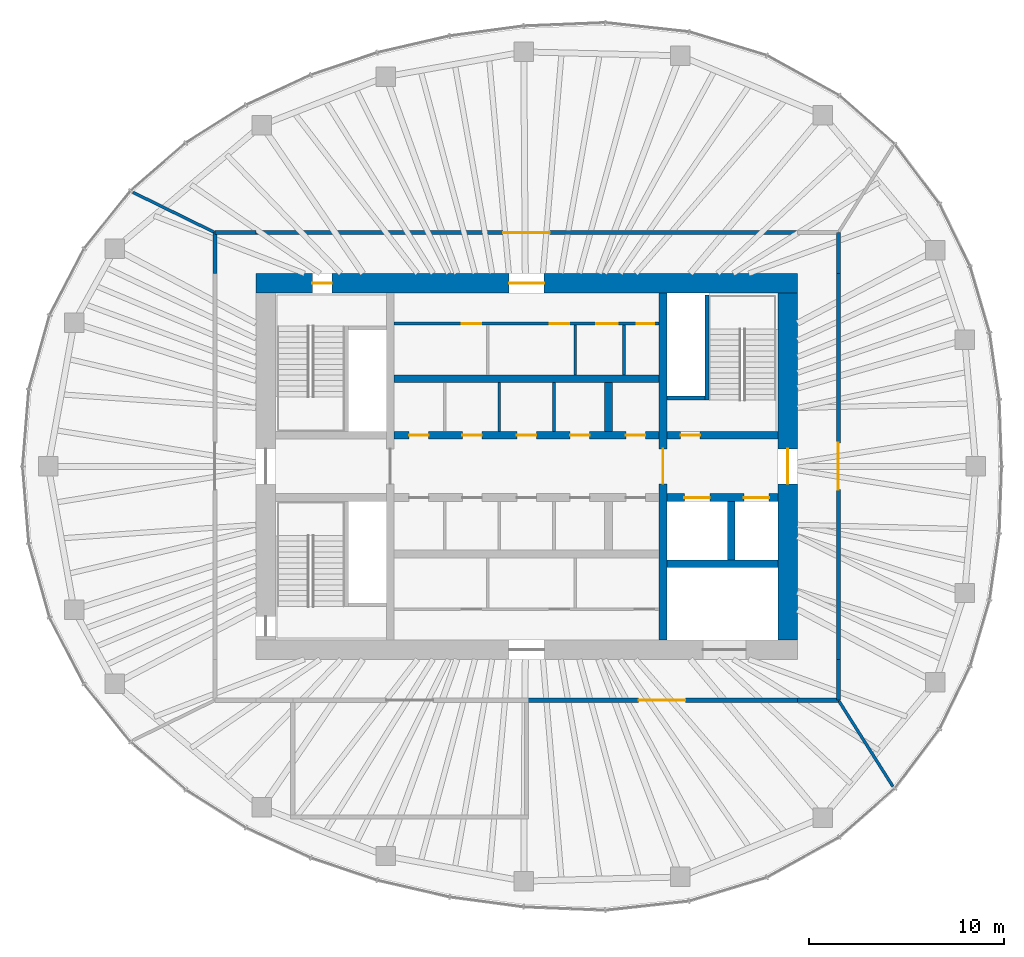
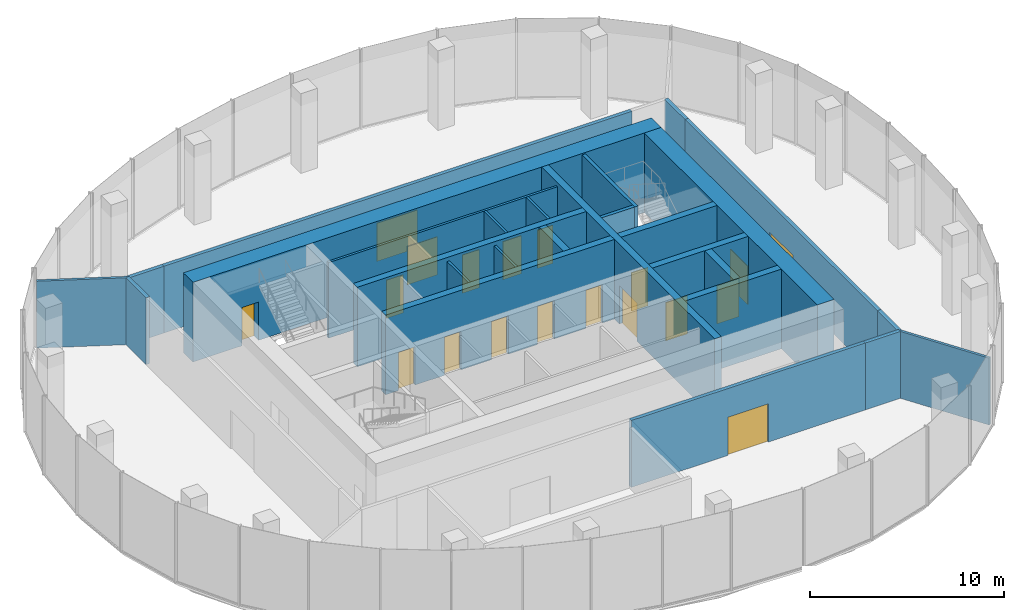
# One storey, part 9 of 11: 27 walls, 19 doors, 19 openings.
"""IFC4 building model written with IfcOpenShell, lengths in metres."""

from ifc_helpers import new_model, si_unit, direction, frame, frame_2d, origin, place, context, subcontext, project, spatial, rectangle, extrude, material, layer, layer_set, type_object, element, fill, save


model = new_model("IFC4")

# Units and contexts
model_context = context("Model", 3, precision=1e-05, world=origin(), true_north=direction((0.0, 1.0)))
body_context = subcontext(model_context, "Body", "Model", "MODEL_VIEW")
ifc_project = project(units=[si_unit("LENGTHUNIT", "METRE"), si_unit("AREAUNIT", "SQUARE_METRE"), si_unit("VOLUMEUNIT", "CUBIC_METRE"), si_unit("PLANEANGLEUNIT", "RADIAN"), si_unit("MASSUNIT", "GRAM", prefix="KILO")], contexts=[model_context])

# Site, building, storey
site_placement = place(None, origin())
site = spatial("IfcSite", under=ifc_project, at=site_placement, CompositionType="ELEMENT")
building_placement = place(site_placement, origin())
building = spatial("IfcBuilding", under=site, at=building_placement, Name="Ghaith Harvest Tower", CompositionType="ELEMENT")
storey_placement = place(building_placement, frame((0.0, 0.0, 339.199951171875)))
storey = spatial("IfcBuildingStorey", under=building, at=storey_placement, Name="L76", CompositionType="ELEMENT", Elevation=339.199951171875)

# Wall, opening, door
ifc_material_1 = material(Name="Concrete blockwork, 1-hour", Category="masonry")
ifc_layer_1 = layer(ifc_material_1, 0.215087890625)
ifc_layer_set_1 = layer_set([ifc_layer_1], Name="BLOCKWORK WALL 215")
wall_type_1 = type_object("IfcWallType", Name="BLOCKWORK WALL 215", PredefinedType="PARTITIONING", material=ifc_layer_set_1)
wall_1_placement = place(storey_placement, frame((13.89990234375, 12.0, 0.0), z_axis=(0.0, 0.0, 1.0), x_axis=(-1.0, 0.0, 0.0)))
wall_1 = element("IfcWall", 1, at=wall_1_placement, inside=storey, type_object=wall_type_1, Name="Plant room wall L76", PredefinedType="PARTITIONING", context=body_context, shape_type="SweptSolid", body=[
    extrude(rectangle(XDim=27.7998046875, YDim=0.215087890625, at=frame_2d((13.89990234375, 0.0))), origin(), (0.0, 0.0, 1.0), 4.199951171875),
])
opening_1_placement = place(wall_1_placement, frame((12.699951171875, 0.0, 0.0)))
opening_1 = element("IfcOpeningElement", 2, at=opening_1_placement, cuts=wall_1, Name="Opening 76-031", PredefinedType="OPENING", context=body_context, shape_type="SweptSolid", body=[
    extrude(rectangle(XDim=2.39990234375, YDim=2.39990234375, at=frame_2d((1.199951171875, 1.199951171875))), frame((0.0, 0.11767578125, 0.0), z_axis=(0.0, -1.0, 0.0), x_axis=(1.0, 0.0, 0.0)), (0.0, 0.0, 1.0), 0.235107421875),
])
ifc_material_2 = material(Name="Timber door", Category="wood")
door_type_1 = type_object("IfcDoorType", Name="D10 PLANT PAIR 2400x2400", OperationType="DOUBLE_DOOR_SINGLE_SWING", PredefinedType="DOOR", material=ifc_material_2)
door_1_placement = place(opening_1_placement, origin())
door_1 = element("IfcDoor", 3, at=door_1_placement, inside=storey, type_object=door_type_1, Name="Cooling tower plant room north door", OperationType="DOUBLE_DOOR_SINGLE_SWING", OverallHeight=2.39990234375, OverallWidth=2.39990234375, PredefinedType="DOOR", context=body_context, shape_type="SweptSolid", body=[
    extrude(rectangle(XDim=2.39990234375, YDim=2.39990234375, at=frame_2d((1.199951171875, 1.199951171875))), frame((0.0, 0.02490234375, 0.0), z_axis=(0.0, -1.0, 0.0), x_axis=(1.0, 0.0, 0.0)), (0.0, 0.0, 1.0), 0.050048828125),
])
fill(opening_1, door_1)

# Walls
for number, where, z_axis, x_axis, name in (
    (4, (-13.89990234375, 12.0, 0.0), (0.0, 0.0, 1.0), (-1.0, 0.0, 0.0), "Plant room wall L76"),
    (5, (16.0, -12.0, 0.0), (0.0, 0.0, 1.0), (0.0, 1.0, 0.0), "Plant room wall L76"),
):
    element("IfcWall", number, at=place(storey_placement, frame(where, z_axis=z_axis, x_axis=x_axis)), inside=storey, type_object=wall_type_1, Name=name, PredefinedType="PARTITIONING", context=body_context, shape_type="SweptSolid", body=[
        extrude(rectangle(XDim=2.10009765625, YDim=0.215087890625, at=frame_2d((1.050048828125, 0.0))), origin(), (0.0, 0.0, 1.0), 4.199951171875),
    ])

# Wall, opening, door
wall_2_placement = place(storey_placement, frame((16.0, -9.89990234375, 0.0), z_axis=(0.0, 0.0, 1.0), x_axis=(0.0, 1.0, 0.0)))
wall_2 = element("IfcWall", 6, at=wall_2_placement, inside=storey, type_object=wall_type_1, Name="Plant room wall L76", PredefinedType="PARTITIONING", context=body_context, shape_type="SweptSolid", body=[
    extrude(rectangle(XDim=19.7998046875, YDim=0.215087890625, at=frame_2d((9.89990234375, 0.0))), origin(), (0.0, 0.0, 1.0), 4.199951171875),
])
opening_2_placement = place(wall_2_placement, frame((8.699951171875, 0.0, 0.0)))
opening_2 = element("IfcOpeningElement", 7, at=opening_2_placement, cuts=wall_2, Name="Opening 76-032", PredefinedType="OPENING", context=body_context, shape_type="SweptSolid", body=[
    extrude(rectangle(XDim=2.39990234375, YDim=2.39990234375, at=frame_2d((1.199951171875, 1.199951171875))), frame((0.0, 0.11767578125, 0.0), z_axis=(0.0, -1.0, 0.0), x_axis=(1.0, 0.0, 0.0)), (0.0, 0.0, 1.0), 0.235107421875),
])
door_2_placement = place(opening_2_placement, origin())
door_2 = element("IfcDoor", 8, at=door_2_placement, inside=storey, type_object=door_type_1, Name="Chiller plant room east door", OperationType="DOUBLE_DOOR_SINGLE_SWING", OverallHeight=2.39990234375, OverallWidth=2.39990234375, PredefinedType="DOOR", context=body_context, shape_type="SweptSolid", body=[
    extrude(rectangle(XDim=2.39990234375, YDim=2.39990234375, at=frame_2d((1.199951171875, 1.199951171875))), frame((0.0, 0.02490234375, 0.0), z_axis=(0.0, -1.0, 0.0), x_axis=(1.0, 0.0, 0.0)), (0.0, 0.0, 1.0), 0.050048828125),
])
fill(opening_2, door_2)

# Wall
wall_3_placement = place(storey_placement, frame((16.0, 9.89990234375, 0.0), z_axis=(0.0, 0.0, 1.0), x_axis=(0.0, 1.0, 0.0)))
element("IfcWall", 9, at=wall_3_placement, inside=storey, type_object=wall_type_1, Name="Plant room wall L76", PredefinedType="PARTITIONING", context=body_context, shape_type="SweptSolid", body=[
    extrude(rectangle(XDim=2.10009765625, YDim=0.215087890625, at=frame_2d((1.050048828125, 0.0))), origin(), (0.0, 0.0, 1.0), 4.199951171875),
])

# Wall, opening, door
wall_4_placement = place(storey_placement, frame((0.0, -12.0, 0.0), z_axis=(0.0, 0.0, 1.0), x_axis=(1.0, 0.0, 0.0)))
wall_4 = element("IfcWall", 10, at=wall_4_placement, inside=storey, type_object=wall_type_1, Name="Plant room wall L76", PredefinedType="PARTITIONING", context=body_context, shape_type="SweptSolid", body=[
    extrude(rectangle(XDim=13.89990234375, YDim=0.215087890625, at=frame_2d((6.949951171875, 0.0))), origin(), (0.0, 0.0, 1.0), 4.199951171875),
])
opening_3_placement = place(wall_4_placement, frame((5.75, 0.0, 0.0)))
opening_3 = element("IfcOpeningElement", 11, at=opening_3_placement, cuts=wall_4, Name="Opening 76-033", PredefinedType="OPENING", context=body_context, shape_type="SweptSolid", body=[
    extrude(rectangle(XDim=2.39990234375, YDim=2.39990234375, at=frame_2d((1.199951171875, 1.199951171875))), frame((0.0, 0.11767578125, 0.0), z_axis=(0.0, -1.0, 0.0), x_axis=(1.0, 0.0, 0.0)), (0.0, 0.0, 1.0), 0.235107421875),
])
door_3_placement = place(opening_3_placement, origin())
door_3 = element("IfcDoor", 12, at=door_3_placement, inside=storey, type_object=door_type_1, Name="Heat rejection plant room south door", OperationType="DOUBLE_DOOR_SINGLE_SWING", OverallHeight=2.39990234375, OverallWidth=2.39990234375, PredefinedType="DOOR", context=body_context, shape_type="SweptSolid", body=[
    extrude(rectangle(XDim=2.39990234375, YDim=2.39990234375, at=frame_2d((1.199951171875, 1.199951171875))), frame((0.0, 0.02490234375, 0.0), z_axis=(0.0, -1.0, 0.0), x_axis=(1.0, 0.0, 0.0)), (0.0, 0.0, 1.0), 0.050048828125),
])
fill(opening_3, door_3)

# Walls
for number, where, z_axis, x_axis, name in (
    (13, (13.89990234375, -12.0, 0.0), (0.0, 0.0, 1.0), (1.0, 0.0, 0.0), "Plant room wall L76"),
    (14, (-16.0, 12.0, 0.0), (0.0, 0.0, 1.0), (0.0, -1.0, 0.0), "Plant room wall L76"),
):
    element("IfcWall", number, at=place(storey_placement, frame(where, z_axis=z_axis, x_axis=x_axis)), inside=storey, type_object=wall_type_1, Name=name, PredefinedType="PARTITIONING", context=body_context, shape_type="SweptSolid", body=[
        extrude(rectangle(XDim=2.10009765625, YDim=0.215087890625, at=frame_2d((1.050048828125, 0.0))), origin(), (0.0, 0.0, 1.0), 4.199951171875),
    ])

# Wall, openings, doors
ifc_material_3 = material(Name="Concrete blockwork, fair-faced", Category="masonry")
ifc_layer_2 = layer(ifc_material_3, 0.139892578125)
ifc_layer_set_2 = layer_set([ifc_layer_2], Name="CORE PARTITION 140")
wall_type_2 = type_object("IfcWallType", Name="CORE PARTITION 140", PredefinedType="PARTITIONING", material=ifc_layer_set_2)
wall_5_placement = place(storey_placement, frame((-6.800048828125, 7.330078125, 0.0), z_axis=(0.0, 0.0, 1.0), x_axis=(1.0, 0.0, 0.0)))
wall_5 = element("IfcWall", 15, at=wall_5_placement, inside=storey, type_object=wall_type_2, Name="Core partition L76", PredefinedType="PARTITIONING", context=body_context, shape_type="SweptSolid", body=[
    extrude(rectangle(XDim=13.60009765625, YDim=0.139892578125, at=frame_2d((6.800048828125, 0.0))), origin(), (0.0, 0.0, 1.0), 4.75),
])
opening_4_placement = place(wall_5_placement, frame((3.47998046875, 0.0, 0.0)))
opening_4 = element("IfcOpeningElement", 16, at=opening_4_placement, cuts=wall_5, Name="Opening 76-008", PredefinedType="OPENING", context=body_context, shape_type="SweptSolid", body=[
    extrude(rectangle(XDim=1.0, YDim=2.39990234375, at=frame_2d((0.5, 1.199951171875))), frame((0.0, 0.080078125, 0.0), z_axis=(0.0, -1.0, 0.0), x_axis=(1.0, 0.0, 0.0)), (0.0, 0.0, 1.0), 0.159912109375),
])
opening_5_placement = place(wall_5_placement, frame((7.97998046875, 0.0, 0.0)))
opening_5 = element("IfcOpeningElement", 17, at=opening_5_placement, cuts=wall_5, Name="Opening 76-009", PredefinedType="OPENING", context=body_context, shape_type="SweptSolid", body=[
    extrude(rectangle(XDim=1.0, YDim=2.39990234375, at=frame_2d((0.5, 1.199951171875))), frame((0.0, 0.080078125, 0.0), z_axis=(0.0, -1.0, 0.0), x_axis=(1.0, 0.0, 0.0)), (0.0, 0.0, 1.0), 0.159912109375),
])
opening_6_placement = place(wall_5_placement, frame((10.3798828125, 0.0, 0.0)))
opening_6 = element("IfcOpeningElement", 18, at=opening_6_placement, cuts=wall_5, Name="Opening 76-010", PredefinedType="OPENING", context=body_context, shape_type="SweptSolid", body=[
    extrude(rectangle(XDim=1.10009765625, YDim=2.39990234375, at=frame_2d((0.550048828125, 1.199951171875))), frame((0.0, 0.080078125, 0.0), z_axis=(0.0, -1.0, 0.0), x_axis=(1.0, 0.0, 0.0)), (0.0, 0.0, 1.0), 0.159912109375),
])
opening_7_placement = place(wall_5_placement, frame((12.449951171875, 0.0, 0.0)))
opening_7 = element("IfcOpeningElement", 19, at=opening_7_placement, cuts=wall_5, Name="Opening 76-011", PredefinedType="OPENING", context=body_context, shape_type="SweptSolid", body=[
    extrude(rectangle(XDim=0.89990234375, YDim=2.39990234375, at=frame_2d((0.449951171875, 1.199951171875))), frame((0.0, 0.080078125, 0.0), z_axis=(0.0, -1.0, 0.0), x_axis=(1.0, 0.0, 0.0)), (0.0, 0.0, 1.0), 0.159912109375),
])
ifc_material_4 = material(Name="Steel fire door", Category="steel")
door_type_2 = type_object("IfcDoorType", Name="D3 FD90 1000x2400", OperationType="SINGLE_SWING_LEFT", PredefinedType="DOOR", material=ifc_material_4)
door_4_placement = place(opening_4_placement, origin())
door_4 = element("IfcDoor", 20, at=door_4_placement, inside=storey, type_object=door_type_2, Name="Male WC door", OperationType="SINGLE_SWING_LEFT", OverallHeight=2.39990234375, OverallWidth=1.0, PredefinedType="DOOR", context=body_context, shape_type="SweptSolid", body=[
    extrude(rectangle(XDim=1.0, YDim=2.39990234375, at=frame_2d((0.5, 1.199951171875))), frame((0.0, 0.02490234375, 0.0), z_axis=(0.0, -1.0, 0.0), x_axis=(1.0, 0.0, 0.0)), (0.0, 0.0, 1.0), 0.050048828125),
])
fill(opening_4, door_4)
door_5_placement = place(opening_5_placement, origin())
door_5 = element("IfcDoor", 21, at=door_5_placement, inside=storey, type_object=door_type_2, Name="Female WC door", OperationType="SINGLE_SWING_RIGHT", OverallHeight=2.39990234375, OverallWidth=1.0, PredefinedType="DOOR", context=body_context, shape_type="SweptSolid", body=[
    extrude(rectangle(XDim=1.0, YDim=2.39990234375, at=frame_2d((0.5, 1.199951171875))), frame((0.0, 0.02490234375, 0.0), z_axis=(0.0, -1.0, 0.0), x_axis=(1.0, 0.0, 0.0)), (0.0, 0.0, 1.0), 0.050048828125),
])
fill(opening_5, door_5)
ifc_material_5 = material(Name="Steel fire door", Category="steel")
door_type_3 = type_object("IfcDoorType", Name="D5 FD90 900x2400", OperationType="SINGLE_SWING_LEFT", PredefinedType="DOOR", material=ifc_material_5)
door_6_placement = place(opening_7_placement, origin())
door_6 = element("IfcDoor", 22, at=door_6_placement, inside=storey, type_object=door_type_3, Name="Cleaner's store door", OperationType="SINGLE_SWING_RIGHT", OverallHeight=2.39990234375, OverallWidth=0.89990234375, PredefinedType="DOOR", context=body_context, shape_type="SweptSolid", body=[
    extrude(rectangle(XDim=0.89990234375, YDim=2.39990234375, at=frame_2d((0.449951171875, 1.199951171875))), frame((0.0, 0.02490234375, 0.0), z_axis=(0.0, -1.0, 0.0), x_axis=(1.0, 0.0, 0.0)), (0.0, 0.0, 1.0), 0.050048828125),
])
fill(opening_7, door_6)
ifc_material_6 = material(Name="Steel fire door", Category="steel")
door_type_4 = type_object("IfcDoorType", Name="D9 FD90 1100x2400", OperationType="SINGLE_SWING_LEFT", PredefinedType="DOOR", material=ifc_material_6)
door_7_placement = place(opening_6_placement, origin())
door_7 = element("IfcDoor", 23, at=door_7_placement, inside=storey, type_object=door_type_4, Name="Accessible WC door", OperationType="SINGLE_SWING_RIGHT", OverallHeight=2.39990234375, OverallWidth=1.10009765625, PredefinedType="DOOR", context=body_context, shape_type="SweptSolid", body=[
    extrude(rectangle(XDim=1.10009765625, YDim=2.39990234375, at=frame_2d((0.550048828125, 1.199951171875))), frame((0.0, 0.02490234375, 0.0), z_axis=(0.0, -1.0, 0.0), x_axis=(1.0, 0.0, 0.0)), (0.0, 0.0, 1.0), 0.050048828125),
])
fill(opening_6, door_7)

# Walls
for number, where, z_axis, x_axis, name in (
    (24, (2.5, 4.699951171875, 0.0), (0.0, 0.0, 1.0), (0.0, 1.0, 0.0), "Core partition L76"),
    (25, (5.0, 4.699951171875, 0.0), (0.0, 0.0, 1.0), (0.0, 1.0, 0.0), "Core partition L76"),
):
    element("IfcWall", number, at=place(storey_placement, frame(where, z_axis=z_axis, x_axis=x_axis)), inside=storey, type_object=wall_type_2, Name=name, PredefinedType="PARTITIONING", context=body_context, shape_type="SweptSolid", body=[
        extrude(rectangle(XDim=2.56005859375, YDim=0.139892578125, at=frame_2d((1.280029296875, 0.0))), origin(), (0.0, 0.0, 1.0), 4.75),
    ])
for number, where, z_axis, x_axis, name in (
    (26, (-1.39990234375, 1.800048828125, 0.0), (0.0, 0.0, 1.0), (0.0, 1.0, 0.0), "Core partition L76"),
    (27, (1.39990234375, 1.800048828125, 0.0), (0.0, 0.0, 1.0), (0.0, 1.0, 0.0), "Core partition L76"),
):
    element("IfcWall", number, at=place(storey_placement, frame(where, z_axis=z_axis, x_axis=x_axis)), inside=storey, type_object=wall_type_2, Name=name, PredefinedType="PARTITIONING", context=body_context, shape_type="SweptSolid", body=[
        extrude(rectangle(XDim=2.5, YDim=0.139892578125, at=frame_2d((1.25, 0.0))), origin(), (0.0, 0.0, 1.0), 4.75),
    ])

# Wall, openings, doors
ifc_material_7 = material(Name="Concrete C50/60", Category="concrete")
ifc_layer_3 = layer(ifc_material_7, 1.0)
ifc_layer_set_3 = layer_set([ifc_layer_3], Name="CORE WALL CW1000")
wall_type_3 = type_object("IfcWallType", Name="CORE WALL CW1000", PredefinedType="SHEAR", material=ifc_layer_set_3)
wall_6_placement = place(storey_placement, frame((13.89990234375, 9.39990234375, 0.0), z_axis=(0.0, 0.0, 1.0), x_axis=(-1.0, 0.0, 0.0)))
wall_6 = element("IfcWall", 28, at=wall_6_placement, inside=storey, type_object=wall_type_3, Name="Core wall N L76", PredefinedType="SHEAR", context=body_context, shape_type="SweptSolid", body=[
    extrude(rectangle(XDim=27.7998046875, YDim=1.0, at=frame_2d((13.89990234375, 0.0))), origin(), (0.0, 0.0, 1.0), 5.0),
])
opening_8_placement = place(wall_6_placement, frame((23.89990234375, 0.0, 0.0)))
opening_8 = element("IfcOpeningElement", 29, at=opening_8_placement, cuts=wall_6, Name="Opening 76-005", PredefinedType="OPENING", context=body_context, shape_type="SweptSolid", body=[
    extrude(rectangle(XDim=1.0, YDim=2.39990234375, at=frame_2d((0.5, 1.199951171875))), frame((0.0, 0.510009765625, 0.0), z_axis=(0.0, -1.0, 0.0), x_axis=(1.0, 0.0, 0.0)), (0.0, 0.0, 1.0), 1.02001953125),
])
opening_9_placement = place(wall_6_placement, frame((13.0, 0.0, 0.0)))
opening_9 = element("IfcOpeningElement", 30, at=opening_9_placement, cuts=wall_6, Name="Opening 76-025", PredefinedType="OPENING", context=body_context, shape_type="SweptSolid", body=[
    extrude(rectangle(XDim=1.800048828125, YDim=2.39990234375, at=frame_2d((0.89990234375, 1.199951171875))), frame((0.0, 0.510009765625, 0.0), z_axis=(0.0, -1.0, 0.0), x_axis=(1.0, 0.0, 0.0)), (0.0, 0.0, 1.0), 1.02001953125),
])
door_8_placement = place(opening_8_placement, origin())
door_8 = element("IfcDoor", 31, at=door_8_placement, inside=storey, type_object=door_type_2, Name="Stair ST1 door", OperationType="SINGLE_SWING_RIGHT", OverallHeight=2.39990234375, OverallWidth=1.0, PredefinedType="DOOR", context=body_context, shape_type="SweptSolid", body=[
    extrude(rectangle(XDim=1.0, YDim=2.39990234375, at=frame_2d((0.5, 1.199951171875))), frame((0.0, 0.02490234375, 0.0), z_axis=(0.0, -1.0, 0.0), x_axis=(1.0, 0.0, 0.0)), (0.0, 0.0, 1.0), 0.050048828125),
])
fill(opening_8, door_8)
ifc_material_8 = material(Name="Steel fire door", Category="steel")
door_type_5 = type_object("IfcDoorType", Name="D4 FD90 PAIR 1800x2400", OperationType="DOUBLE_DOOR_SINGLE_SWING", PredefinedType="DOOR", material=ifc_material_8)
door_9_placement = place(opening_9_placement, origin())
door_9 = element("IfcDoor", 32, at=door_9_placement, inside=storey, type_object=door_type_5, Name="Core service corridor doors", OperationType="DOUBLE_DOOR_SINGLE_SWING", OverallHeight=2.39990234375, OverallWidth=1.800048828125, PredefinedType="DOOR", context=body_context, shape_type="SweptSolid", body=[
    extrude(rectangle(XDim=1.800048828125, YDim=2.39990234375, at=frame_2d((0.89990234375, 1.199951171875))), frame((0.0, 0.02490234375, 0.0), z_axis=(0.0, -1.0, 0.0), x_axis=(1.0, 0.0, 0.0)), (0.0, 0.0, 1.0), 0.050048828125),
])
fill(opening_9, door_9)

# Wall, opening, door
wall_7_placement = place(storey_placement, frame((13.39990234375, -8.89990234375, 0.0), z_axis=(0.0, 0.0, 1.0), x_axis=(0.0, 1.0, 0.0)))
wall_7 = element("IfcWall", 33, at=wall_7_placement, inside=storey, type_object=wall_type_3, Name="Core wall E L76", PredefinedType="SHEAR", context=body_context, shape_type="SweptSolid", body=[
    extrude(rectangle(XDim=17.7998046875, YDim=1.0, at=frame_2d((8.89990234375, 0.0))), origin(), (0.0, 0.0, 1.0), 5.0),
])
opening_10_placement = place(wall_7_placement, frame((8.0, 0.0, 0.0)))
opening_10 = element("IfcOpeningElement", 34, at=opening_10_placement, cuts=wall_7, Name="Opening 76-002", PredefinedType="OPENING", context=body_context, shape_type="SweptSolid", body=[
    extrude(rectangle(XDim=1.800048828125, YDim=2.39990234375, at=frame_2d((0.89990234375, 1.199951171875))), frame((0.0, 0.510009765625, 0.0), z_axis=(0.0, -1.0, 0.0), x_axis=(1.0, 0.0, 0.0)), (0.0, 0.0, 1.0), 1.02001953125),
])
door_10_placement = place(opening_10_placement, origin())
door_10 = element("IfcDoor", 35, at=door_10_placement, inside=storey, type_object=door_type_5, Name="Fire-fighting lobby doors", OperationType="DOUBLE_DOOR_SINGLE_SWING", OverallHeight=2.39990234375, OverallWidth=1.800048828125, PredefinedType="DOOR", context=body_context, shape_type="SweptSolid", body=[
    extrude(rectangle(XDim=1.800048828125, YDim=2.39990234375, at=frame_2d((0.89990234375, 1.199951171875))), frame((0.0, 0.02490234375, 0.0), z_axis=(0.0, -1.0, 0.0), x_axis=(1.0, 0.0, 0.0)), (0.0, 0.0, 1.0), 0.050048828125),
])
fill(opening_10, door_10)

# Walls
ifc_material_9 = material(Name="Gypsum board on steel studs", Category="steel")
ifc_layer_4 = layer(ifc_material_9, 0.14990234375)
ifc_layer_set_4 = layer_set([ifc_layer_4], Name="PARTITION 150")
wall_type_4 = type_object("IfcWallType", Name="PARTITION 150", PredefinedType="PARTITIONING", material=ifc_layer_set_4)
wall_8_placement = place(storey_placement, frame((-16.017822265625, 12.0087890625, 0.0), z_axis=(0.0, 0.0, 1.0), x_axis=(-0.897771840996, 0.440460805879, 0.0)))
element("IfcWall", 36, at=wall_8_placement, inside=storey, type_object=wall_type_4, Name="Partition L76 zone division", PredefinedType="PARTITIONING", context=body_context, shape_type="SweptSolid", body=[
    extrude(rectangle(XDim=4.66552734375, YDim=0.14990234375, at=frame_2d((2.332763671875, 0.0))), origin(), (0.0, 0.0, 1.0), 4.199951171875),
])
wall_9_placement = place(storey_placement, frame((16.0107421875, -12.016845703125, 0.0), z_axis=(0.0, 0.0, 1.0), x_axis=(0.53415837449, -0.845384427916, 0.0)))
element("IfcWall", 37, at=wall_9_placement, inside=storey, type_object=wall_type_4, Name="Partition L76 zone division", PredefinedType="PARTITIONING", context=body_context, shape_type="SweptSolid", body=[
    extrude(rectangle(XDim=5.220458984375, YDim=0.14990234375, at=frame_2d((2.6103515625, 0.0))), origin(), (0.0, 0.0, 1.0), 4.199951171875),
])

# Wall, opening, door
ifc_material_10 = material(Name="Concrete C70/85", Category="concrete")
ifc_layer_5 = layer(ifc_material_10, 0.39990234375)
ifc_layer_set_5 = layer_set([ifc_layer_5], Name="SHAFT WALL 400")
wall_type_5 = type_object("IfcWallType", Name="SHAFT WALL 400", PredefinedType="SHEAR", material=ifc_layer_set_5)
wall_10_placement = place(storey_placement, frame((7.0, -8.89990234375, 0.0), z_axis=(0.0, 0.0, 1.0), x_axis=(0.0, 1.0, 0.0)))
wall_10 = element("IfcWall", 38, at=wall_10_placement, inside=storey, type_object=wall_type_5, Name="Shaft wall W7E L76", PredefinedType="SHEAR", context=body_context, shape_type="SweptSolid", body=[
    extrude(rectangle(XDim=17.7998046875, YDim=0.39990234375, at=frame_2d((8.89990234375, 0.0))), origin(), (0.0, 0.0, 1.0), 5.0),
])
opening_11_placement = place(wall_10_placement, frame((8.0, 0.0, 0.0)))
opening_11 = element("IfcOpeningElement", 39, at=opening_11_placement, cuts=wall_10, Name="Opening 76-004", PredefinedType="OPENING", context=body_context, shape_type="SweptSolid", body=[
    extrude(rectangle(XDim=1.800048828125, YDim=2.39990234375, at=frame_2d((0.89990234375, 1.199951171875))), frame((0.0, 0.2099609375, 0.0), z_axis=(0.0, -1.0, 0.0), x_axis=(1.0, 0.0, 0.0)), (0.0, 0.0, 1.0), 0.419921875),
])
door_11_placement = place(opening_11_placement, origin())
door_11 = element("IfcDoor", 40, at=door_11_placement, inside=storey, type_object=door_type_5, Name="Lift lobby doors, east", OperationType="DOUBLE_DOOR_SINGLE_SWING", OverallHeight=2.39990234375, OverallWidth=1.800048828125, PredefinedType="DOOR", context=body_context, shape_type="SweptSolid", body=[
    extrude(rectangle(XDim=1.800048828125, YDim=2.39990234375, at=frame_2d((0.89990234375, 1.199951171875))), frame((0.0, 0.02490234375, 0.0), z_axis=(0.0, -1.0, 0.0), x_axis=(1.0, 0.0, 0.0)), (0.0, 0.0, 1.0), 0.050048828125),
])
fill(opening_11, door_11)

# Wall, openings, doors
wall_11_placement = place(storey_placement, frame((-6.800048828125, 1.60009765625, 0.0), z_axis=(0.0, 0.0, 1.0), x_axis=(1.0, 0.0, 0.0)))
wall_11 = element("IfcWall", 41, at=wall_11_placement, inside=storey, type_object=wall_type_5, Name="Shaft wall LN L76", PredefinedType="SHEAR", context=body_context, shape_type="SweptSolid", body=[
    extrude(rectangle(XDim=13.60009765625, YDim=0.39990234375, at=frame_2d((6.800048828125, 0.0))), origin(), (0.0, 0.0, 1.0), 5.0),
])
opening_12_placement = place(wall_11_placement, frame((0.764892578125, 0.0, 0.0)))
opening_12 = element("IfcOpeningElement", 42, at=opening_12_placement, cuts=wall_11, Name="Opening 76-015", PredefinedType="OPENING", context=body_context, shape_type="SweptSolid", body=[
    extrude(rectangle(XDim=1.0, YDim=2.39990234375, at=frame_2d((0.5, 1.199951171875))), frame((0.0, 0.2099609375, 0.0), z_axis=(0.0, -1.0, 0.0), x_axis=(1.0, 0.0, 0.0)), (0.0, 0.0, 1.0), 0.419921875),
])
opening_13_placement = place(wall_11_placement, frame((3.5, 0.0, 0.0)))
opening_13 = element("IfcOpeningElement", 43, at=opening_13_placement, cuts=wall_11, Name="Opening 76-016", PredefinedType="OPENING", context=body_context, shape_type="SweptSolid", body=[
    extrude(rectangle(XDim=1.0, YDim=2.39990234375, at=frame_2d((0.5, 1.199951171875))), frame((0.0, 0.2099609375, 0.0), z_axis=(0.0, -1.0, 0.0), x_axis=(1.0, 0.0, 0.0)), (0.0, 0.0, 1.0), 0.419921875),
])
opening_14_placement = place(wall_11_placement, frame((6.300048828125, 0.0, 0.0)))
opening_14 = element("IfcOpeningElement", 44, at=opening_14_placement, cuts=wall_11, Name="Opening 76-017", PredefinedType="OPENING", context=body_context, shape_type="SweptSolid", body=[
    extrude(rectangle(XDim=1.0, YDim=2.39990234375, at=frame_2d((0.5, 1.199951171875))), frame((0.0, 0.2099609375, 0.0), z_axis=(0.0, -1.0, 0.0), x_axis=(1.0, 0.0, 0.0)), (0.0, 0.0, 1.0), 0.419921875),
])
opening_15_placement = place(wall_11_placement, frame((9.034912109375, 0.0, 0.0)))
opening_15 = element("IfcOpeningElement", 45, at=opening_15_placement, cuts=wall_11, Name="Opening 76-018", PredefinedType="OPENING", context=body_context, shape_type="SweptSolid", body=[
    extrude(rectangle(XDim=1.0, YDim=2.39990234375, at=frame_2d((0.5, 1.199951171875))), frame((0.0, 0.2099609375, 0.0), z_axis=(0.0, -1.0, 0.0), x_axis=(1.0, 0.0, 0.0)), (0.0, 0.0, 1.0), 0.419921875),
])
opening_16_placement = place(wall_11_placement, frame((11.89990234375, 0.0, 0.0)))
opening_16 = element("IfcOpeningElement", 46, at=opening_16_placement, cuts=wall_11, Name="Opening 76-023", PredefinedType="OPENING", context=body_context, shape_type="SweptSolid", body=[
    extrude(rectangle(XDim=1.0, YDim=2.39990234375, at=frame_2d((0.5, 1.199951171875))), frame((0.0, 0.2099609375, 0.0), z_axis=(0.0, -1.0, 0.0), x_axis=(1.0, 0.0, 0.0)), (0.0, 0.0, 1.0), 0.419921875),
])
door_12_placement = place(opening_12_placement, origin())
door_12 = element("IfcDoor", 47, at=door_12_placement, inside=storey, type_object=door_type_2, Name="Mechanical plant room door", OperationType="SINGLE_SWING_LEFT", OverallHeight=2.39990234375, OverallWidth=1.0, PredefinedType="DOOR", context=body_context, shape_type="SweptSolid", body=[
    extrude(rectangle(XDim=1.0, YDim=2.39990234375, at=frame_2d((0.5, 1.199951171875))), frame((0.0, 0.02490234375, 0.0), z_axis=(0.0, -1.0, 0.0), x_axis=(1.0, 0.0, 0.0)), (0.0, 0.0, 1.0), 0.050048828125),
])
fill(opening_12, door_12)
door_13_placement = place(opening_13_placement, origin())
door_13 = element("IfcDoor", 48, at=door_13_placement, inside=storey, type_object=door_type_2, Name="Electrical switch room door", OperationType="SINGLE_SWING_LEFT", OverallHeight=2.39990234375, OverallWidth=1.0, PredefinedType="DOOR", context=body_context, shape_type="SweptSolid", body=[
    extrude(rectangle(XDim=1.0, YDim=2.39990234375, at=frame_2d((0.5, 1.199951171875))), frame((0.0, 0.02490234375, 0.0), z_axis=(0.0, -1.0, 0.0), x_axis=(1.0, 0.0, 0.0)), (0.0, 0.0, 1.0), 0.050048828125),
])
fill(opening_13, door_13)
door_14_placement = place(opening_14_placement, origin())
door_14 = element("IfcDoor", 49, at=door_14_placement, inside=storey, type_object=door_type_2, Name="Mechanical plant room door", OperationType="SINGLE_SWING_LEFT", OverallHeight=2.39990234375, OverallWidth=1.0, PredefinedType="DOOR", context=body_context, shape_type="SweptSolid", body=[
    extrude(rectangle(XDim=1.0, YDim=2.39990234375, at=frame_2d((0.5, 1.199951171875))), frame((0.0, 0.02490234375, 0.0), z_axis=(0.0, -1.0, 0.0), x_axis=(1.0, 0.0, 0.0)), (0.0, 0.0, 1.0), 0.050048828125),
])
fill(opening_14, door_14)
door_15_placement = place(opening_15_placement, origin())
door_15 = element("IfcDoor", 50, at=door_15_placement, inside=storey, type_object=door_type_2, Name="Mechanical plant room door", OperationType="SINGLE_SWING_RIGHT", OverallHeight=2.39990234375, OverallWidth=1.0, PredefinedType="DOOR", context=body_context, shape_type="SweptSolid", body=[
    extrude(rectangle(XDim=1.0, YDim=2.39990234375, at=frame_2d((0.5, 1.199951171875))), frame((0.0, 0.02490234375, 0.0), z_axis=(0.0, -1.0, 0.0), x_axis=(1.0, 0.0, 0.0)), (0.0, 0.0, 1.0), 0.050048828125),
])
fill(opening_15, door_15)
door_16_placement = place(opening_16_placement, origin())
door_16 = element("IfcDoor", 51, at=door_16_placement, inside=storey, type_object=door_type_2, Name="Mechanical plant room door", OperationType="SINGLE_SWING_RIGHT", OverallHeight=2.39990234375, OverallWidth=1.0, PredefinedType="DOOR", context=body_context, shape_type="SweptSolid", body=[
    extrude(rectangle(XDim=1.0, YDim=2.39990234375, at=frame_2d((0.5, 1.199951171875))), frame((0.0, 0.02490234375, 0.0), z_axis=(0.0, -1.0, 0.0), x_axis=(1.0, 0.0, 0.0)), (0.0, 0.0, 1.0), 0.050048828125),
])
fill(opening_16, door_16)

# Wall
wall_12_placement = place(storey_placement, frame((-6.800048828125, 4.5, 0.0), z_axis=(0.0, 0.0, 1.0), x_axis=(1.0, 0.0, 0.0)))
element("IfcWall", 52, at=wall_12_placement, inside=storey, type_object=wall_type_5, Name="Shaft wall BN L76", PredefinedType="SHEAR", context=body_context, shape_type="SweptSolid", body=[
    extrude(rectangle(XDim=13.60009765625, YDim=0.39990234375, at=frame_2d((6.800048828125, 0.0))), origin(), (0.0, 0.0, 1.0), 5.0),
])

# Wall, opening, door
wall_13_placement = place(storey_placement, frame((7.199951171875, 1.60009765625, 0.0), z_axis=(0.0, 0.0, 1.0), x_axis=(1.0, 0.0, 0.0)))
wall_13 = element("IfcWall", 53, at=wall_13_placement, inside=storey, type_object=wall_type_5, Name="Shaft wall EN L76", PredefinedType="SHEAR", context=body_context, shape_type="SweptSolid", body=[
    extrude(rectangle(XDim=5.699951171875, YDim=0.39990234375, at=frame_2d((2.85009765625, 0.0))), origin(), (0.0, 0.0, 1.0), 5.0),
])
opening_17_placement = place(wall_13_placement, frame((0.699951171875, 0.0, 0.0)))
opening_17 = element("IfcOpeningElement", 54, at=opening_17_placement, cuts=wall_13, Name="Opening 76-007", PredefinedType="OPENING", context=body_context, shape_type="SweptSolid", body=[
    extrude(rectangle(XDim=1.0, YDim=2.39990234375, at=frame_2d((0.5, 1.199951171875))), frame((0.0, 0.2099609375, 0.0), z_axis=(0.0, -1.0, 0.0), x_axis=(1.0, 0.0, 0.0)), (0.0, 0.0, 1.0), 0.419921875),
])
door_17_placement = place(opening_17_placement, origin())
door_17 = element("IfcDoor", 55, at=door_17_placement, inside=storey, type_object=door_type_2, Name="Stair ST2 door", OperationType="SINGLE_SWING_LEFT", OverallHeight=2.39990234375, OverallWidth=1.0, PredefinedType="DOOR", context=body_context, shape_type="SweptSolid", body=[
    extrude(rectangle(XDim=1.0, YDim=2.39990234375, at=frame_2d((0.5, 1.199951171875))), frame((0.0, 0.02490234375, 0.0), z_axis=(0.0, -1.0, 0.0), x_axis=(1.0, 0.0, 0.0)), (0.0, 0.0, 1.0), 0.050048828125),
])
fill(opening_17, door_17)

# Wall, openings, doors
wall_14_placement = place(storey_placement, frame((7.199951171875, -1.60009765625, 0.0), z_axis=(0.0, 0.0, 1.0), x_axis=(1.0, 0.0, 0.0)))
wall_14 = element("IfcWall", 56, at=wall_14_placement, inside=storey, type_object=wall_type_5, Name="Shaft wall ES L76", PredefinedType="SHEAR", context=body_context, shape_type="SweptSolid", body=[
    extrude(rectangle(XDim=5.699951171875, YDim=0.39990234375, at=frame_2d((2.85009765625, 0.0))), origin(), (0.0, 0.0, 1.0), 5.0),
])
opening_18_placement = place(wall_14_placement, frame((0.89990234375, 0.0, 0.0)))
opening_18 = element("IfcOpeningElement", 57, at=opening_18_placement, cuts=wall_14, Name="Opening 76-027", PredefinedType="OPENING", context=body_context, shape_type="SweptSolid", body=[
    extrude(rectangle(XDim=1.300048828125, YDim=2.39990234375, at=frame_2d((0.64990234375, 1.199951171875))), frame((0.0, 0.2099609375, 0.0), z_axis=(0.0, -1.0, 0.0), x_axis=(1.0, 0.0, 0.0)), (0.0, 0.0, 1.0), 0.419921875),
])
opening_19_placement = place(wall_14_placement, frame((3.949951171875, 0.0, 0.0)))
opening_19 = element("IfcOpeningElement", 58, at=opening_19_placement, cuts=wall_14, Name="Opening 76-028", PredefinedType="OPENING", context=body_context, shape_type="SweptSolid", body=[
    extrude(rectangle(XDim=1.300048828125, YDim=2.39990234375, at=frame_2d((0.64990234375, 1.199951171875))), frame((0.0, 0.2099609375, 0.0), z_axis=(0.0, -1.0, 0.0), x_axis=(1.0, 0.0, 0.0)), (0.0, 0.0, 1.0), 0.419921875),
])
ifc_material_11 = material(Name="Steel fire door", Category="steel")
door_type_6 = type_object("IfcDoorType", Name="LD2 LANDING 1300x2400", OperationType="DOUBLE_DOOR_SLIDING", PredefinedType="DOOR", material=ifc_material_11)
door_18_placement = place(opening_18_placement, origin())
door_18 = element("IfcDoor", 59, at=door_18_placement, inside=storey, type_object=door_type_6, Name="Landing door, fire service lift FL1", OperationType="DOUBLE_DOOR_SLIDING", OverallHeight=2.39990234375, OverallWidth=1.300048828125, PredefinedType="DOOR", context=body_context, shape_type="SweptSolid", body=[
    extrude(rectangle(XDim=1.300048828125, YDim=2.39990234375, at=frame_2d((0.64990234375, 1.199951171875))), frame((0.0, 0.02490234375, 0.0), z_axis=(0.0, -1.0, 0.0), x_axis=(1.0, 0.0, 0.0)), (0.0, 0.0, 1.0), 0.050048828125),
])
fill(opening_18, door_18)
door_19_placement = place(opening_19_placement, origin())
door_19 = element("IfcDoor", 60, at=door_19_placement, inside=storey, type_object=door_type_6, Name="Landing door, fire service lift FL2", OperationType="DOUBLE_DOOR_SLIDING", OverallHeight=2.39990234375, OverallWidth=1.300048828125, PredefinedType="DOOR", context=body_context, shape_type="SweptSolid", body=[
    extrude(rectangle(XDim=1.300048828125, YDim=2.39990234375, at=frame_2d((0.64990234375, 1.199951171875))), frame((0.0, 0.02490234375, 0.0), z_axis=(0.0, -1.0, 0.0), x_axis=(1.0, 0.0, 0.0)), (0.0, 0.0, 1.0), 0.050048828125),
])
fill(opening_19, door_19)

# Walls
wall_15_placement = place(storey_placement, frame((10.5, -4.800048828125, 0.0), z_axis=(0.0, 0.0, 1.0), x_axis=(0.0, 1.0, 0.0)))
element("IfcWall", 61, at=wall_15_placement, inside=storey, type_object=wall_type_5, Name="Shaft wall FLD L76", PredefinedType="SHEAR", context=body_context, shape_type="SweptSolid", body=[
    extrude(rectangle(XDim=3.0, YDim=0.39990234375, at=frame_2d((1.5, 0.0))), origin(), (0.0, 0.0, 1.0), 5.0),
])
wall_16_placement = place(storey_placement, frame((7.199951171875, -5.0, 0.0), z_axis=(0.0, 0.0, 1.0), x_axis=(1.0, 0.0, 0.0)))
element("IfcWall", 62, at=wall_16_placement, inside=storey, type_object=wall_type_5, Name="Shaft wall FLB L76", PredefinedType="SHEAR", context=body_context, shape_type="SweptSolid", body=[
    extrude(rectangle(XDim=5.699951171875, YDim=0.39990234375, at=frame_2d((2.85009765625, 0.0))), origin(), (0.0, 0.0, 1.0), 5.0),
])
wall_17_placement = place(storey_placement, frame((4.199951171875, 1.800048828125, 0.0), z_axis=(0.0, 0.0, 1.0), x_axis=(0.0, 1.0, 0.0)))
element("IfcWall", 63, at=wall_17_placement, inside=storey, type_object=wall_type_5, Name="Shaft wall DN4 L76", PredefinedType="SHEAR", context=body_context, shape_type="SweptSolid", body=[
    extrude(rectangle(XDim=2.5, YDim=0.39990234375, at=frame_2d((1.25, 0.0))), origin(), (0.0, 0.0, 1.0), 5.0),
])
ifc_material_12 = material(Name="Concrete C40/50", Category="concrete")
ifc_layer_6 = layer(ifc_material_12, 0.199951171875)
ifc_layer_set_6 = layer_set([ifc_layer_6], Name="STAIR SPINE WALL RC200")
wall_type_6 = type_object("IfcWallType", Name="STAIR SPINE WALL RC200", PredefinedType="SOLIDWALL", material=ifc_layer_set_6)
wall_18_placement = place(storey_placement, frame((9.25, 3.39990234375, 0.0), z_axis=(0.0, 0.0, 1.0), x_axis=(0.0, 1.0, 0.0)))
element("IfcWall", 64, at=wall_18_placement, inside=storey, type_object=wall_type_6, Name="Stair ST2 spine wall L76", PredefinedType="SOLIDWALL", context=body_context, shape_type="SweptSolid", body=[
    extrude(rectangle(XDim=5.400146484375, YDim=0.199951171875, at=frame_2d((2.7001953125, 0.0))), origin(), (0.0, 0.0, 1.0), 5.0),
])
wall_19_placement = place(storey_placement, frame((9.14990234375, 3.5, 0.0), z_axis=(0.0, 0.0, 1.0), x_axis=(-1.0, 0.0, 0.0)))
element("IfcWall", 65, at=wall_19_placement, inside=storey, type_object=wall_type_6, Name="Stair ST2 spine wall return L76", PredefinedType="SOLIDWALL", context=body_context, shape_type="SweptSolid", body=[
    extrude(rectangle(XDim=1.949951171875, YDim=0.199951171875, at=frame_2d((0.97509765625, 0.0))), origin(), (0.0, 0.0, 1.0), 5.0),
])

save(model, "model.ifc")
